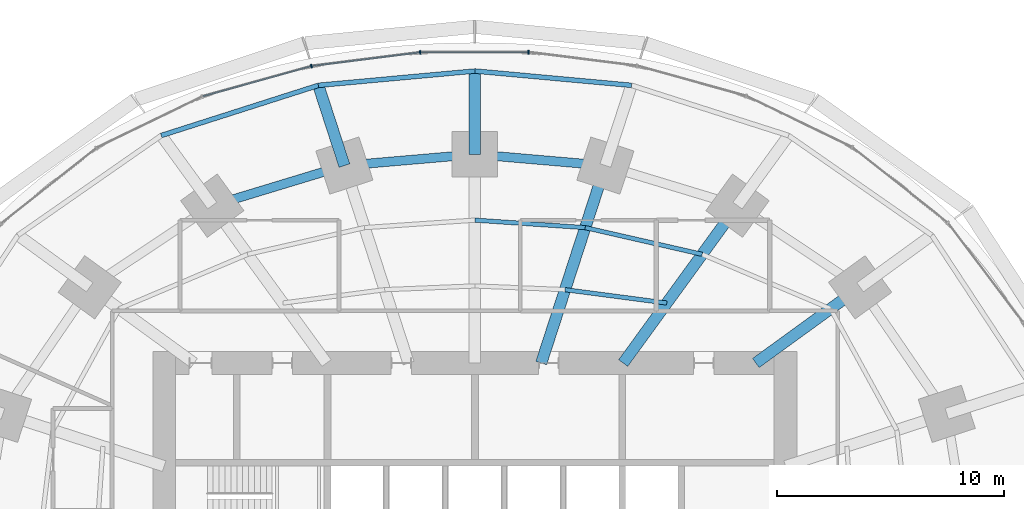
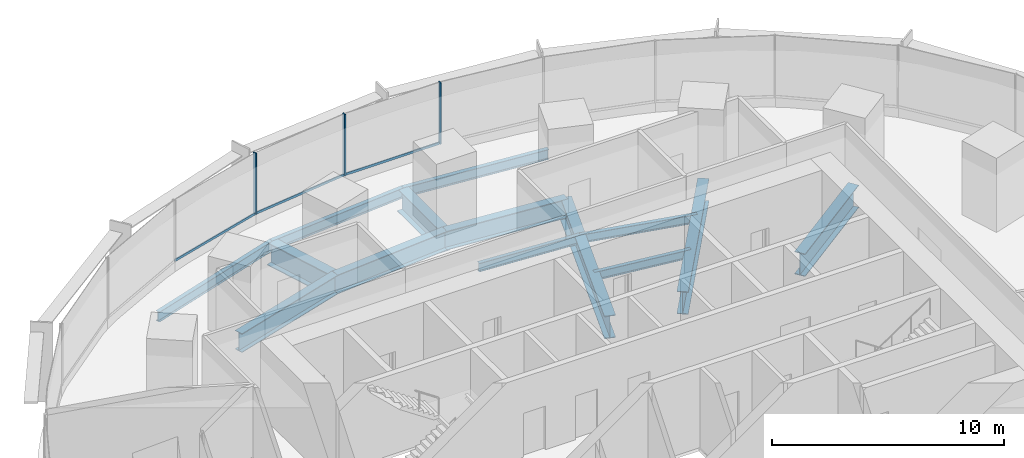
# One storey, part 8 of 15: 14 beams, 6 members, 1 element without a shape of its own.
"""IFC4 building model written with IfcOpenShell, lengths in metres."""

from ifc_helpers import new_model, si_unit, direction, frame, origin, origin_2d, place, context, subcontext, project, spatial, rectangle, i_section, extrude, material, material_profile, profile_set, type_object, element, aggregate, save


model = new_model("IFC4")

# Units and contexts
model_context = context("Model", 3, precision=1e-05, world=origin(), true_north=direction((0.0, 1.0)))
body_context = subcontext(model_context, "Body", "Model", "MODEL_VIEW")
ifc_project = project(units=[si_unit("LENGTHUNIT", "METRE"), si_unit("AREAUNIT", "SQUARE_METRE"), si_unit("VOLUMEUNIT", "CUBIC_METRE"), si_unit("PLANEANGLEUNIT", "RADIAN"), si_unit("MASSUNIT", "GRAM", prefix="KILO")], contexts=[model_context])

# Site, building, storey
site_placement = place(None, origin())
site = spatial("IfcSite", under=ifc_project, at=site_placement, CompositionType="ELEMENT")
building_placement = place(site_placement, origin())
building = spatial("IfcBuilding", under=site, at=building_placement, Name="Marramba Exchange Tower", CompositionType="ELEMENT")
storey_placement = place(building_placement, frame((0.0, 0.0, 32.199951171875)))
storey = spatial("IfcBuildingStorey", under=building, at=storey_placement, Name="L07", CompositionType="ELEMENT", Elevation=32.199951171875)

# Beams
ifc_material_1 = material(Name="Steel AS/NZS 3679.2 grade 300", Category="steel")
ifc_material_profile_1 = material_profile(ifc_material_1, i_section(OverallWidth=0.5, OverallDepth=1.199951171875, WebThickness=0.01611328125, FlangeThickness=0.0400390625, at=origin_2d()), Name="1200WB455")
ifc_profile_set_1 = profile_set([ifc_material_profile_1], Name="Steel AS/NZS 3679.2 grade 300")
beam_type_1 = type_object("IfcBeamType", Name="Cantilever girder 1200WB455", PredefinedType="BEAM", material=ifc_profile_set_1)
beam_1_placement = place(storey_placement, frame((0.0, 18.2041015625, -0.760009765625), z_axis=(0.0, 1.0, 0.0), x_axis=(-1.0, 0.0, 0.0)))
element("IfcBeam", 1, at=beam_1_placement, inside=storey, type_object=beam_type_1, Name="Cantilever girder L07 TC06", PredefinedType="BEAM", context=body_context, shape_type="SweptSolid", body=[
    extrude(i_section(OverallWidth=0.5, OverallDepth=1.199951171875, WebThickness=0.01611328125, FlangeThickness=0.0400390625, at=origin_2d()), origin(), (0.0, 0.0, 1.0), 3.673828125),
])
beam_2_placement = place(storey_placement, frame((-5.75390625, 17.70849609375, -0.760009765625), z_axis=(-0.308973290646, 0.951070715387, 0.0), x_axis=(-0.951070715387, -0.308973290646, 0.0)))
element("IfcBeam", 2, at=beam_2_placement, inside=storey, type_object=beam_type_1, Name="Cantilever girder L07 TC07", PredefinedType="BEAM", context=body_context, shape_type="SweptSolid", body=[
    extrude(i_section(OverallWidth=0.5, OverallDepth=1.199951171875, WebThickness=0.01611328125, FlangeThickness=0.0400390625, at=origin_2d()), origin(), (0.0, 0.0, 1.0), 3.72021484375),
])
ifc_material_2 = material(Name="Steel AS/NZS 3679.1 grade 300", Category="steel")
ifc_material_profile_2 = material_profile(ifc_material_2, i_section(OverallWidth=0.18994140625, OverallDepth=0.4541015625, WebThickness=0.008544921875, FlangeThickness=0.0126953125, FilletRadius=0.011474609375, at=origin_2d()), Name="460UB67.1")
ifc_profile_set_2 = profile_set([ifc_material_profile_2], Name="Steel AS/NZS 3679.1 grade 300")
beam_type_2 = type_object("IfcBeamType", Name="Floor joist 460UB67.1", PredefinedType="JOIST", material=ifc_profile_set_2)
beam_3_placement = place(storey_placement, frame((8.4619140625, 11.646728515625, -0.386962890625), z_axis=(-0.991480538255, 0.130254912618, 0.0), x_axis=(-0.130254912618, -0.991480538255, 0.0)))
element("IfcBeam", 3, at=beam_3_placement, inside=storey, type_object=beam_type_2, Name="Joist L07 bay 04 row 1", PredefinedType="JOIST", context=body_context, shape_type="SweptSolid", body=[
    extrude(i_section(OverallWidth=0.18994140625, OverallDepth=0.4541015625, WebThickness=0.008544921875, FlangeThickness=0.0126953125, FilletRadius=0.011474609375, at=origin_2d()), origin(), (0.0, 0.0, 1.0), 4.524658203125),
])
beam_4_placement = place(storey_placement, frame((10.021728515625, 13.793701171875, -0.386962890625), z_axis=(-0.974859652292, 0.222819788916, 0.0), x_axis=(-0.222819788916, -0.974859652292, 0.0)))
element("IfcBeam", 4, at=beam_4_placement, inside=storey, type_object=beam_type_2, Name="Joist L07 bay 04 row 2", PredefinedType="JOIST", context=body_context, shape_type="SweptSolid", body=[
    extrude(i_section(OverallWidth=0.18994140625, OverallDepth=0.4541015625, WebThickness=0.008544921875, FlangeThickness=0.0126953125, FilletRadius=0.011474609375, at=origin_2d()), origin(), (0.0, 0.0, 1.0), 5.2900390625),
])
beam_5_placement = place(storey_placement, frame((4.86474609375, 14.972412109375, -0.386962890625), z_axis=(-0.997702652202, 0.067745241816, 0.0), x_axis=(-0.067745241816, -0.997702652202, 0.0)))
element("IfcBeam", 5, at=beam_5_placement, inside=storey, type_object=beam_type_2, Name="Joist L07 bay 05 row 2", PredefinedType="JOIST", context=body_context, shape_type="SweptSolid", body=[
    extrude(i_section(OverallWidth=0.18994140625, OverallDepth=0.4541015625, WebThickness=0.008544921875, FlangeThickness=0.0126953125, FilletRadius=0.011474609375, at=origin_2d()), origin(), (0.0, 0.0, 1.0), 4.8759765625),
])
ifc_material_profile_3 = material_profile(ifc_material_1, i_section(OverallWidth=0.5, OverallDepth=1.199951171875, WebThickness=0.01611328125, FlangeThickness=0.0400390625, at=origin_2d()), Name="1200WB455")
ifc_profile_set_3 = profile_set([ifc_material_profile_3], Name="Steel AS/NZS 3679.2 grade 300")
beam_type_3 = type_object("IfcBeamType", Name="Radial girder 1200WB455", PredefinedType="BEAM", material=ifc_profile_set_3)
beam_6_placement = place(storey_placement, frame((12.387451171875, 9.0, -0.760009765625), z_axis=(0.809025746925, 0.587773205252, 0.0), x_axis=(-0.587773205252, 0.809025746925, 0.0)))
element("IfcBeam", 6, at=beam_6_placement, inside=storey, type_object=beam_type_3, Name="Radial girder L07 TC03", PredefinedType="BEAM", context=body_context, shape_type="SweptSolid", body=[
    extrude(i_section(OverallWidth=0.5, OverallDepth=1.199951171875, WebThickness=0.01611328125, FlangeThickness=0.0400390625, at=origin_2d()), origin(), (0.0, 0.0, 1.0), 5.683837890625),
])
beam_7_placement = place(storey_placement, frame((6.538818359375, 9.0, -0.760009765625), z_axis=(0.587782439969, 0.80901903764, 0.0), x_axis=(-0.80901903764, 0.587782439969, 0.0)))
element("IfcBeam", 7, at=beam_7_placement, inside=storey, type_object=beam_type_3, Name="Radial girder L07 TC04", PredefinedType="BEAM", context=body_context, shape_type="SweptSolid", body=[
    extrude(i_section(OverallWidth=0.5, OverallDepth=1.199951171875, WebThickness=0.01611328125, FlangeThickness=0.0400390625, at=origin_2d()), origin(), (0.0, 0.0, 1.0), 8.578857421875),
])
beam_8_placement = place(storey_placement, frame((2.92431640625, 9.0, -0.760009765625), z_axis=(0.309019754162, 0.951055619582, 0.0), x_axis=(-0.951055619582, 0.309019754162, 0.0)))
element("IfcBeam", 8, at=beam_8_placement, inside=storey, type_object=beam_type_3, Name="Radial girder L07 TC05", PredefinedType="BEAM", context=body_context, shape_type="SweptSolid", body=[
    extrude(i_section(OverallWidth=0.5, OverallDepth=1.199951171875, WebThickness=0.01611328125, FlangeThickness=0.0400390625, at=origin_2d()), origin(), (0.0, 0.0, 1.0), 9.15673828125),
])
ifc_material_profile_4 = material_profile(ifc_material_1, i_section(OverallWidth=0.39990234375, OverallDepth=1.0, WebThickness=0.01611328125, FlangeThickness=0.031982421875, at=origin_2d()), Name="1000WB322")
ifc_profile_set_4 = profile_set([ifc_material_profile_4], Name="Steel AS/NZS 3679.2 grade 300")
beam_type_4 = type_object("IfcBeamType", Name="Ring beam 1000WB322", PredefinedType="SPANDREL", material=ifc_profile_set_4)
for number, where, z_axis, x_axis, name in (
    (9, (5.75390625, 17.70849609375, -0.659912109375), (-0.996311003275, 0.085815993578, 0.0), (-0.085815993578, -0.996311003275, 0.0), "Ring beam L07 TC05-TC06"),
    (10, (0.0, 18.2041015625, -0.659912109375), (-0.996311003275, -0.085815993578, 0.0), (0.085815993578, -0.996311003275, 0.0), "Ring beam L07 TC06-TC07"),
):
    element("IfcBeam", number, at=place(storey_placement, frame(where, z_axis=z_axis, x_axis=x_axis)), inside=storey, type_object=beam_type_4, Name=name, PredefinedType="SPANDREL", context=body_context, shape_type="SweptSolid", body=[
        extrude(i_section(OverallWidth=0.39990234375, OverallDepth=1.0, WebThickness=0.01611328125, FlangeThickness=0.031982421875, at=origin_2d()), origin(), (0.0, 0.0, 1.0), 5.775146484375),
    ])
beam_9_placement = place(storey_placement, frame((-5.75390625, 17.70849609375, -0.659912109375), z_axis=(-0.956924542524, -0.290336735387, 0.0), x_axis=(0.290336735387, -0.956924542524, 0.0)))
element("IfcBeam", 11, at=beam_9_placement, inside=storey, type_object=beam_type_4, Name="Ring beam L07 TC07-TC08", PredefinedType="SPANDREL", context=body_context, shape_type="SweptSolid", body=[
    extrude(i_section(OverallWidth=0.39990234375, OverallDepth=1.0, WebThickness=0.01611328125, FlangeThickness=0.031982421875, at=origin_2d()), origin(), (0.0, 0.0, 1.0), 6.089599609375),
])
ifc_material_profile_5 = material_profile(ifc_material_2, i_section(OverallWidth=0.208984375, OverallDepth=0.528076171875, WebThickness=0.009521484375, FlangeThickness=0.01318359375, FilletRadius=0.013916015625, at=origin_2d()), Name="530UB82.0")
ifc_profile_set_5 = profile_set([ifc_material_profile_5], Name="Steel AS/NZS 3679.1 grade 300")
beam_type_5 = type_object("IfcBeamType", Name="Slab edge beam 530UB82.0", PredefinedType="SPANDREL", material=ifc_profile_set_5)
for number, where, z_axis, x_axis, name in (
    (12, (6.9033203125, 21.24658203125, -0.424072265625), (-0.995843984921, 0.091075560369, 0.0), (-0.091075560369, -0.995843984921, 0.0), "Slab edge beam L07 TC05-TC06"),
    (13, (0.0, 21.8779296875, -0.424072265625), (-0.995843984921, -0.091075560369, 0.0), (0.091075560369, -0.995843984921, 0.0), "Slab edge beam L07 TC06-TC07"),
):
    element("IfcBeam", number, at=place(storey_placement, frame(where, z_axis=z_axis, x_axis=x_axis)), inside=storey, type_object=beam_type_5, Name=name, PredefinedType="SPANDREL", context=body_context, shape_type="SweptSolid", body=[
        extrude(i_section(OverallWidth=0.208984375, OverallDepth=0.528076171875, WebThickness=0.009521484375, FlangeThickness=0.01318359375, FilletRadius=0.013916015625, at=origin_2d()), origin(), (0.0, 0.0, 1.0), 6.93212890625),
    ])
beam_10_placement = place(storey_placement, frame((-6.9033203125, 21.24658203125, -0.424072265625), z_axis=(-0.952577642997, -0.304295635957, 0.0), x_axis=(0.304295635957, -0.952577642997, 0.0)))
element("IfcBeam", 14, at=beam_10_placement, inside=storey, type_object=beam_type_5, Name="Slab edge beam L07 TC07-TC08", PredefinedType="SPANDREL", context=body_context, shape_type="SweptSolid", body=[
    extrude(i_section(OverallWidth=0.208984375, OverallDepth=0.528076171875, WebThickness=0.009521484375, FlangeThickness=0.01318359375, FilletRadius=0.013916015625, at=origin_2d()), origin(), (0.0, 0.0, 1.0), 7.2705078125),
])

# Curtain wall, members
ifc_material_3 = material(Name="Aluminium framing, bronze anodised", Category="aluminium")
curtain_wall_type = type_object("IfcCurtainWallType", Name="Trading floor ribbon curtain wall", PredefinedType="USERDEFINED", material=ifc_material_3)
curtain_wall_placement = place(storey_placement, origin())
curtain_wall = element("IfcCurtainWall", 15, at=curtain_wall_placement, inside=storey, type_object=curtain_wall_type, Name="Curtain wall CW3 L07 F06-F10", ObjectType="RIBBON CURTAIN WALL", PredefinedType="USERDEFINED")
ifc_material_4 = material(Name="Aluminium mullion, bronze anodised", Category="aluminium")
ifc_material_profile_6 = material_profile(ifc_material_4, rectangle(XDim=0.159912109375, YDim=0.06005859375, at=origin_2d()), Name="CW3 mullion 60x160")
ifc_profile_set_6 = profile_set([ifc_material_profile_6], Name="Aluminium mullion, bronze anodised")
member_type_1 = type_object("IfcMemberType", Name="Trading floor ribbon curtain wall mullion", PredefinedType="MULLION", material=ifc_profile_set_6)
member_1_placement = place(storey_placement, frame((2.3564453125, 22.7060546875, 0.800048828125), z_axis=(0.0, 0.0, 1.0), x_axis=(0.0, -1.0, 0.0)))
member_1 = element("IfcMember", 16, at=member_1_placement, type_object=member_type_1, Name="CW3 mullion 1", PredefinedType="MULLION", context=body_context, shape_type="SweptSolid", body=[
    extrude(rectangle(XDim=0.159912109375, YDim=0.06005859375, at=origin_2d()), origin(), (0.0, 0.0, 1.0), 3.239990234375),
])
member_2_placement = place(storey_placement, frame((-2.416259765625, 22.7021484375, 0.800048828125), z_axis=(0.0, 0.0, 1.0), x_axis=(0.124872723099, -0.992172768738, 0.0)))
member_2 = element("IfcMember", 17, at=member_2_placement, type_object=member_type_1, Name="CW3 mullion 1", PredefinedType="MULLION", context=body_context, shape_type="SweptSolid", body=[
    extrude(rectangle(XDim=0.159912109375, YDim=0.06005859375, at=origin_2d()), origin(), (0.0, 0.0, 1.0), 3.239990234375),
])
member_3_placement = place(storey_placement, frame((-7.21044921875, 22.094482421875, 0.800048828125), z_axis=(0.0, 0.0, 1.0), x_axis=(0.267808735815, -0.963472096649, 0.0)))
member_3 = element("IfcMember", 18, at=member_3_placement, type_object=member_type_1, Name="CW3 mullion 1", PredefinedType="MULLION", context=body_context, shape_type="SweptSolid", body=[
    extrude(rectangle(XDim=0.159912109375, YDim=0.06005859375, at=origin_2d()), origin(), (0.0, 0.0, 1.0), 3.239990234375),
])
ifc_material_5 = material(Name="Aluminium transom, bronze anodised", Category="aluminium")
ifc_material_profile_7 = material_profile(ifc_material_5, rectangle(XDim=0.06005859375, YDim=0.1201171875, at=origin_2d()), Name="CW3 transom 60x120")
ifc_profile_set_7 = profile_set([ifc_material_profile_7], Name="Aluminium transom, bronze anodised")
member_type_2 = type_object("IfcMemberType", Name="Trading floor ribbon curtain wall transom", PredefinedType="USERDEFINED", material=ifc_profile_set_7)
member_4_placement = place(storey_placement, frame((2.326416015625, 22.7060546875, 0.830078125), z_axis=(-1.0, 0.0, 0.0), x_axis=(0.0, -1.0, 0.0)))
member_4 = element("IfcMember", 19, at=member_4_placement, type_object=member_type_2, Name="CW3 sill transom", ObjectType="TRANSOM", PredefinedType="USERDEFINED", context=body_context, shape_type="SweptSolid", body=[
    extrude(rectangle(XDim=0.06005859375, YDim=0.1201171875, at=origin_2d()), origin(), (0.0, 0.0, 1.0), 4.712890625),
])
member_5_placement = place(storey_placement, frame((-2.446044921875, 22.698486328125, 0.830078125), z_axis=(-0.992174445211, -0.124859402009, 0.0), x_axis=(0.124859402009, -0.992174445211, 0.0)))
member_5 = element("IfcMember", 20, at=member_5_placement, type_object=member_type_2, Name="CW3 sill transom", ObjectType="TRANSOM", PredefinedType="USERDEFINED", context=body_context, shape_type="SweptSolid", body=[
    extrude(rectangle(XDim=0.06005859375, YDim=0.1201171875, at=origin_2d()), origin(), (0.0, 0.0, 1.0), 4.77294921875),
])
member_6_placement = place(storey_placement, frame((-7.2392578125, 22.08642578125, 0.830078125), z_axis=(-0.963472490071, -0.267807320431, 0.0), x_axis=(0.267807320431, -0.963472490071, 0.0)))
member_6 = element("IfcMember", 21, at=member_6_placement, type_object=member_type_2, Name="CW3 sill transom", ObjectType="TRANSOM", PredefinedType="USERDEFINED", context=body_context, shape_type="SweptSolid", body=[
    extrude(rectangle(XDim=0.06005859375, YDim=0.1201171875, at=origin_2d()), origin(), (0.0, 0.0, 1.0), 4.93017578125),
])
aggregate(curtain_wall, [member_1, member_4, member_2, member_5, member_3, member_6])

save(model, "model.ifc")
